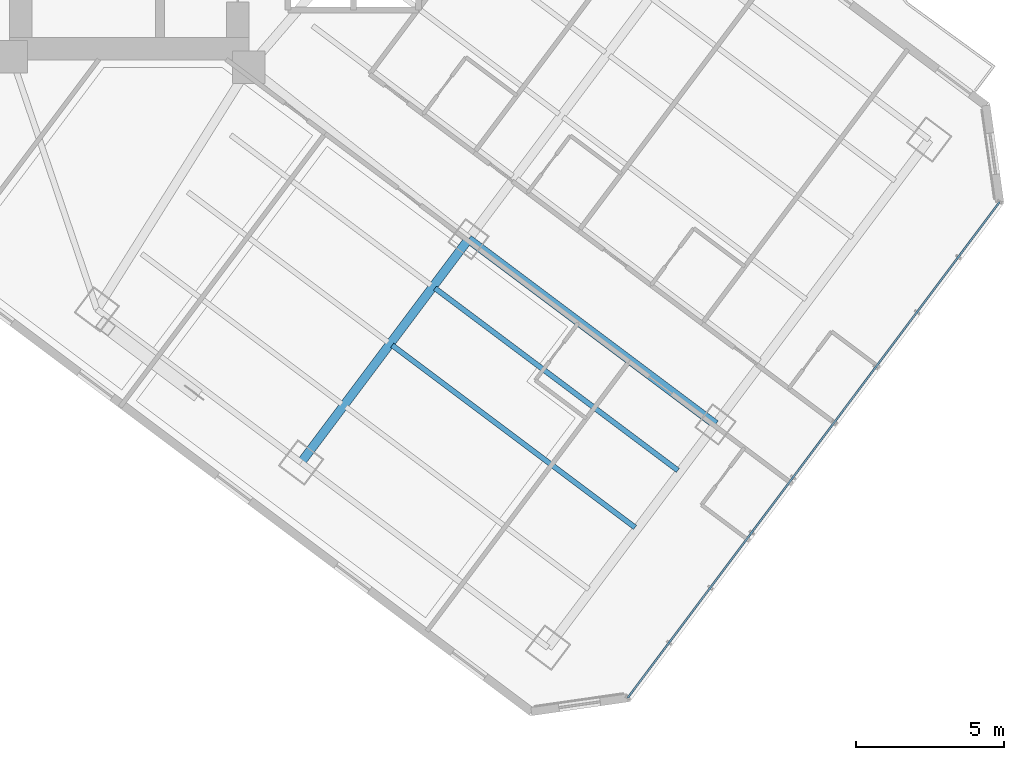
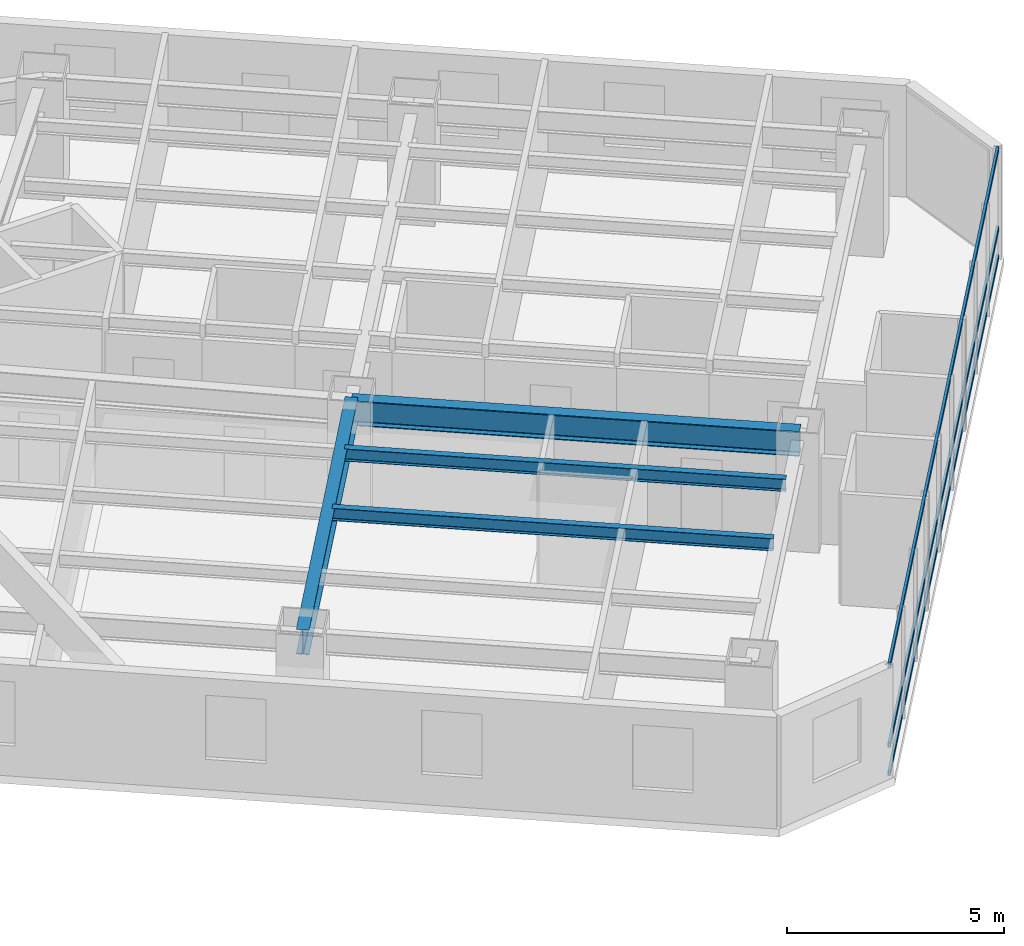
# One storey, part 9 of 32: 4 beams, 3 members, 1 element without a shape of its own.
"""IFC4 building model written with IfcOpenShell, lengths in metres."""

from ifc_helpers import new_model, si_unit, direction, frame, origin, origin_2d, place, context, subcontext, project, spatial, hollow_rectangle, i_section, extrude, material, layer, layer_set, material_profile, profile_set, type_object, element, aggregate, save


model = new_model("IFC4")

# Units and contexts
model_context = context("Model", 3, precision=1e-05, world=origin(), true_north=direction((0.0, 1.0)))
body_context = subcontext(model_context, "Body", "Model", "MODEL_VIEW")
ifc_project = project(units=[si_unit("LENGTHUNIT", "METRE"), si_unit("AREAUNIT", "SQUARE_METRE"), si_unit("VOLUMEUNIT", "CUBIC_METRE"), si_unit("PLANEANGLEUNIT", "RADIAN"), si_unit("MASSUNIT", "GRAM", prefix="KILO")], contexts=[model_context])

# Site, building, storey
site_placement = place(None, origin())
site = spatial("IfcSite", under=ifc_project, at=site_placement, CompositionType="ELEMENT")
building_placement = place(site_placement, origin())
building = spatial("IfcBuilding", under=site, at=building_placement, Name="Hatsunagi Terrace Concourse", CompositionType="ELEMENT")
storey_placement = place(building_placement, frame((0.0, 0.0, 46.64990234375)))
storey = spatial("IfcBuildingStorey", under=building, at=storey_placement, Name="L11", CompositionType="ELEMENT", Elevation=46.64990234375)

# Curtain wall, members
ifc_material_1 = material(Name="Anodised Aluminium Alloy 6063-T5", Category="aluminium")
ifc_layer = layer(ifc_material_1, 0.199951171875)
ifc_layer_set = layer_set([ifc_layer], Name="HotelFacade_CW02")
curtain_wall_type = type_object("IfcCurtainWallType", Name="HotelFacade_CW02", PredefinedType="NOTDEFINED", material=ifc_layer_set)
curtain_wall_placement = place(storey_placement, origin())
curtain_wall = element("IfcCurtainWall", 1, at=curtain_wall_placement, inside=storey, type_object=curtain_wall_type, Name="Unitised Curtain Wall CW-02 CW-L11-03", PredefinedType="NOTDEFINED")
ifc_material_2 = material(Name="Anodised Aluminium Alloy 6063-T5", Category="aluminium")
ifc_material_profile_1 = material_profile(ifc_material_2, hollow_rectangle(XDim=0.06494140625, YDim=0.139892578125, WallThickness=0.00390625, at=origin_2d()), Name="ALU-TRN-140x65x4")
ifc_profile_set_1 = profile_set([ifc_material_profile_1], Name="Anodised Aluminium Alloy 6063-T5")
member_type = type_object("IfcMemberType", Name="CurtainWallTransom_140x65", PredefinedType="USERDEFINED", material=ifc_profile_set_1)
member_1_placement = place(storey_placement, frame((69.093017578125, 19.657958984375, 0.050048828125), z_axis=(-0.599970072971, -0.800022444397, 0.0), x_axis=(0.800022444397, -0.599970072971, 0.0)))
member_1 = element("IfcMember", 2, at=member_1_placement, type_object=member_type, Name="Curtain Wall Transom TRN-02", ObjectType="TRANSOM", PredefinedType="USERDEFINED", context=body_context, shape_type="SweptSolid", body=[
    extrude(hollow_rectangle(XDim=0.06494140625, YDim=0.139892578125, WallThickness=0.00390625, at=origin_2d()), origin(), (0.0, 0.0, 1.0), 20.884521484375),
])
member_2_placement = place(storey_placement, frame((69.093017578125, 19.657958984375, 0.85009765625), z_axis=(-0.599970072971, -0.800022444397, 0.0), x_axis=(0.800022444397, -0.599970072971, 0.0)))
member_2 = element("IfcMember", 3, at=member_2_placement, type_object=member_type, Name="Curtain Wall Transom TRN-02", ObjectType="TRANSOM", PredefinedType="USERDEFINED", context=body_context, shape_type="SweptSolid", body=[
    extrude(hollow_rectangle(XDim=0.06494140625, YDim=0.139892578125, WallThickness=0.00390625, at=origin_2d()), origin(), (0.0, 0.0, 1.0), 20.884521484375),
])
member_3_placement = place(storey_placement, frame((69.093017578125, 19.657958984375, 3.080078125), z_axis=(-0.599970072971, -0.800022444397, 0.0), x_axis=(0.800022444397, -0.599970072971, 0.0)))
member_3 = element("IfcMember", 4, at=member_3_placement, type_object=member_type, Name="Curtain Wall Transom TRN-02", ObjectType="TRANSOM", PredefinedType="USERDEFINED", context=body_context, shape_type="SweptSolid", body=[
    extrude(hollow_rectangle(XDim=0.06494140625, YDim=0.139892578125, WallThickness=0.00390625, at=origin_2d()), origin(), (0.0, 0.0, 1.0), 20.884521484375),
])
aggregate(curtain_wall, [member_1, member_2, member_3])

# Beams
ifc_material_3 = material(Name="Steel SN490B", Category="steel")
ifc_material_profile_2 = material_profile(ifc_material_3, i_section(OverallWidth=0.300048828125, OverallDepth=0.699951171875, WebThickness=0.012939453125, FlangeThickness=0.02392578125, FilletRadius=0.02197265625, at=origin_2d()), Name="H-700x300x13x24")
ifc_profile_set_2 = profile_set([ifc_material_profile_2], Name="Steel SN490B")
beam_type_1 = type_object("IfcBeamType", Name="HotelFloorGirder_H_700x300", PredefinedType="BEAM", material=ifc_profile_set_2)
beam_1_placement = place(storey_placement, frame((45.56005859375, 10.8798828125, 2.780029296875), z_axis=(0.599991688754, 0.800006233367, 0.0), x_axis=(-0.800006233367, 0.599991688754, 0.0)))
element("IfcBeam", 5, at=beam_1_placement, inside=storey, type_object=beam_type_1, Name="Beam G-04 BM-L11-SET-2A", PredefinedType="BEAM", context=body_context, shape_type="SweptSolid", body=[
    extrude(i_section(OverallWidth=0.300048828125, OverallDepth=0.699951171875, WebThickness=0.012939453125, FlangeThickness=0.02392578125, FilletRadius=0.02197265625, at=origin_2d()), origin(), (0.0, 0.0, 1.0), 9.39990234375),
])
beam_2_placement = place(storey_placement, frame((51.199951171875, 18.39990234375, 2.780029296875), z_axis=(0.800002816985, -0.599996244001, 0.0), x_axis=(0.599996244001, 0.800002816985, 0.0)))
element("IfcBeam", 6, at=beam_2_placement, inside=storey, type_object=beam_type_1, Name="Beam G-04 BM-L11-SE-M3", PredefinedType="BEAM", context=body_context, shape_type="SweptSolid", body=[
    extrude(i_section(OverallWidth=0.300048828125, OverallDepth=0.699951171875, WebThickness=0.012939453125, FlangeThickness=0.02392578125, FilletRadius=0.02197265625, at=origin_2d()), origin(), (0.0, 0.0, 1.0), 10.400146484375),
])
ifc_material_4 = material(Name="Steel SN490B", Category="steel")
ifc_material_profile_3 = material_profile(ifc_material_4, i_section(OverallWidth=0.175048828125, OverallDepth=0.35009765625, WebThickness=0.007080078125, FlangeThickness=0.010986328125, FilletRadius=0.012939453125, at=origin_2d()), Name="H-350x175x7x11")
ifc_profile_set_3 = profile_set([ifc_material_profile_3], Name="Steel SN490B")
beam_type_2 = type_object("IfcBeamType", Name="HotelJoist_H_350x175", PredefinedType="JOIST", material=ifc_profile_set_3)
beam_3_placement = place(storey_placement, frame((48.6279296875, 14.8291015625, 2.955078125), z_axis=(0.799994272423, -0.600007636694, 0.0), x_axis=(0.600007636694, 0.799994272423, 0.0)))
element("IfcBeam", 7, at=beam_3_placement, inside=storey, type_object=beam_type_2, Name="Beam J-02 J-L11-SE-3-72", PredefinedType="JOIST", context=body_context, shape_type="SweptSolid", body=[
    extrude(i_section(OverallWidth=0.175048828125, OverallDepth=0.35009765625, WebThickness=0.007080078125, FlangeThickness=0.010986328125, FilletRadius=0.012939453125, at=origin_2d()), origin(), (0.0, 0.0, 1.0), 10.230224609375),
])
beam_4_placement = place(storey_placement, frame((50.068115234375, 16.7490234375, 2.955078125), z_axis=(0.799997136125, -0.600003818481, 0.0), x_axis=(0.600003818481, 0.799997136125, 0.0)))
element("IfcBeam", 8, at=beam_4_placement, inside=storey, type_object=beam_type_2, Name="Beam J-02 J-L11-SE-3-96", PredefinedType="JOIST", context=body_context, shape_type="SweptSolid", body=[
    extrude(i_section(OverallWidth=0.175048828125, OverallDepth=0.35009765625, WebThickness=0.007080078125, FlangeThickness=0.010986328125, FilletRadius=0.012939453125, at=origin_2d()), origin(), (0.0, 0.0, 1.0), 10.229736328125),
])

save(model, "model.ifc")
